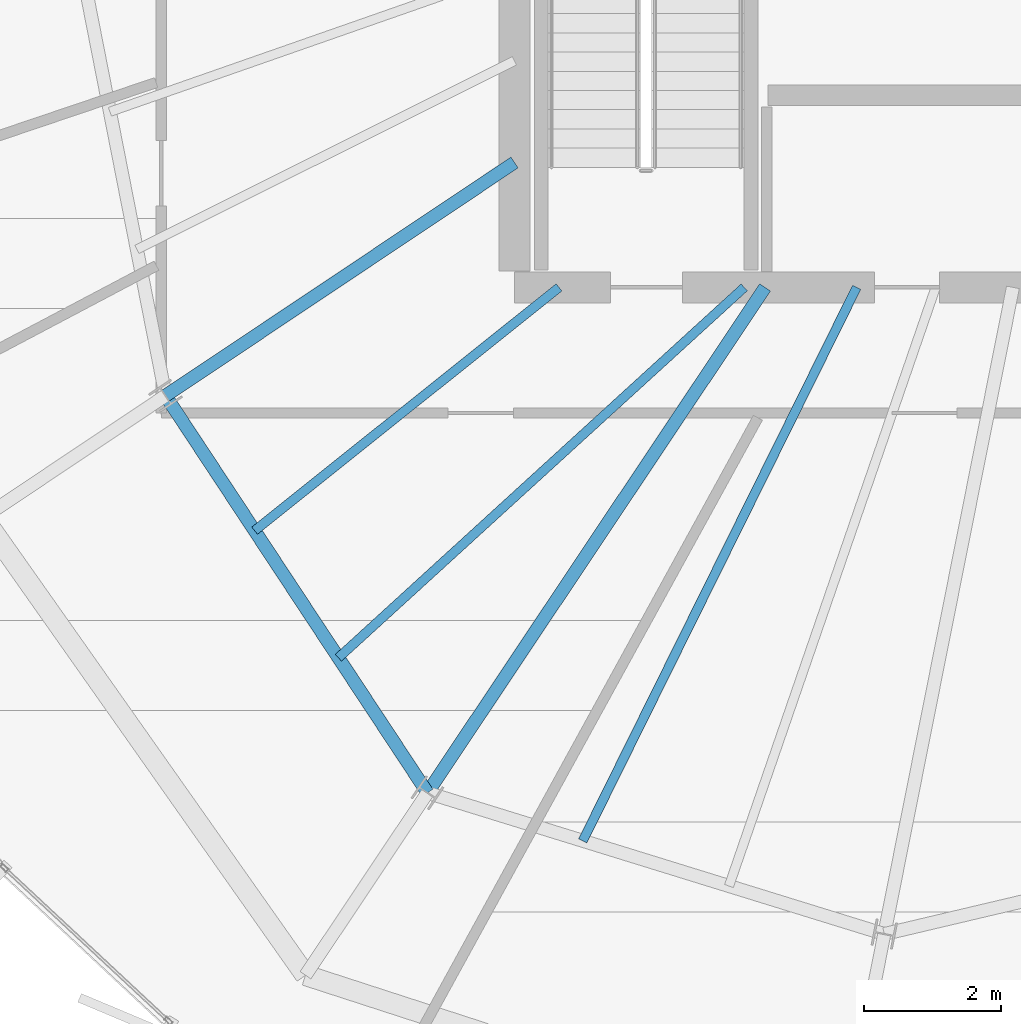
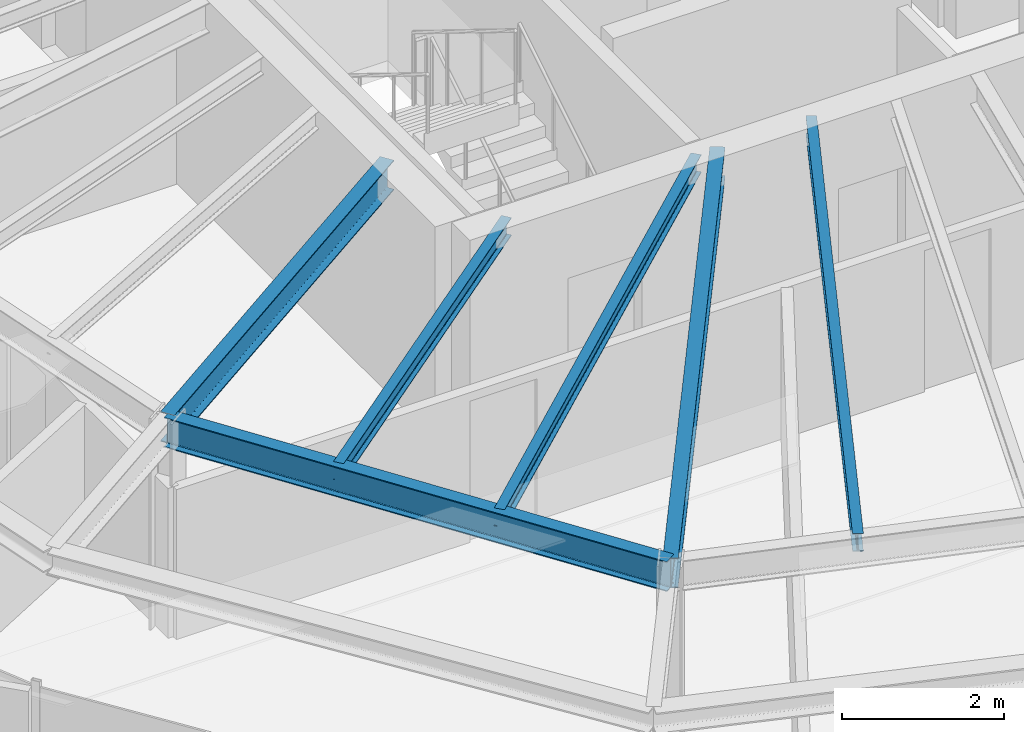
# One storey, part 5 of 35: 6 beams.
"""IFC4 building model written with IfcOpenShell, lengths in metres."""

from ifc_helpers import new_model, si_unit, direction, frame, origin, origin_2d, place, context, subcontext, project, spatial, i_section, extrude, source, transform, mapped, material, material_profile, profile_set, type_object, element, save


model = new_model("IFC4")

# Units and contexts
model_context = context("Model", 3, precision=1e-05, world=origin(), true_north=direction((0.0, 1.0)))
body_context = subcontext(model_context, "Body", "Model", "MODEL_VIEW")
ifc_project = project(units=[si_unit("LENGTHUNIT", "METRE"), si_unit("AREAUNIT", "SQUARE_METRE"), si_unit("VOLUMEUNIT", "CUBIC_METRE"), si_unit("PLANEANGLEUNIT", "RADIAN"), si_unit("MASSUNIT", "GRAM", prefix="KILO"), si_unit("THERMODYNAMICTEMPERATUREUNIT", "KELVIN")], contexts=[model_context])

# Site, building, storey
site_placement = place(None, origin())
site = spatial("IfcSite", under=ifc_project, at=site_placement, CompositionType="ELEMENT")
building_placement = place(site_placement, origin())
building = spatial("IfcBuilding", under=site, at=building_placement, Name="Kethvar Cultural Tower", CompositionType="ELEMENT")
storey_placement = place(building_placement, frame((0.0, 0.0, 249.10009765625)))
storey = spatial("IfcBuildingStorey", under=building, at=storey_placement, Name="L65", CompositionType="ELEMENT", Elevation=249.10009765625)

# Beams
ifc_material = material(Name="Steel S355J2", Category="steel")
ifc_material_profile_1 = material_profile(ifc_material, i_section(OverallWidth=0.18994140625, OverallDepth=0.449951171875, WebThickness=0.009521484375, FlangeThickness=0.0146484375, FilletRadius=0.02099609375, at=origin_2d()), Name="Steel S355J2 — IPE450")
ifc_profile_set_1 = profile_set([ifc_material_profile_1], Name="Steel S355J2 — IPE450")
beam_type_1 = type_object("IfcBeamType", Name="BM-IPE450", PredefinedType="BEAM", material=ifc_profile_set_1)
shared_shape_1 = source(origin(), body_context, "Body", "SweptSolid", [
    extrude(i_section(OverallWidth=0.18994140625, OverallDepth=0.449951171875, WebThickness=0.009521484375, FlangeThickness=0.0146484375, FilletRadius=0.02099609375, at=origin_2d()), origin(), (0.0, 0.0, 1.0), 6.118408203125),
])
beam_1_placement = place(storey_placement, frame((38.0, 21.920166015625, 2.98291015625), z_axis=(-0.831466631282, -0.555574694406, 0.0), x_axis=(0.555574694406, -0.831466631282, 0.0)))
element("IfcBeam", 1, at=beam_1_placement, inside=storey, type_object=beam_type_1, Name="L65 Primary Radial Beam RB-10", PredefinedType="BEAM", context=body_context, shape_type="MappedRepresentation", body=[
    mapped(shared_shape_1, transform((0.0, 0.0, 0.0), scale=1.0)),
])
shared_shape_2 = source(origin(), body_context, "Body", "SweptSolid", [
    extrude(i_section(OverallWidth=0.18994140625, OverallDepth=0.449951171875, WebThickness=0.009521484375, FlangeThickness=0.0146484375, FilletRadius=0.02099609375, at=origin_2d()), origin(), (0.0, 0.0, 1.0), 8.86279296875),
])
beam_2_placement = place(storey_placement, frame((41.655029296875, 20.10009765625, 2.98291015625), z_axis=(-0.555564443415, -0.831473480764, 0.0), x_axis=(0.831473480764, -0.555564443415, 0.0)))
element("IfcBeam", 2, at=beam_2_placement, inside=storey, type_object=beam_type_1, Name="L65 Primary Radial Beam RB-11", PredefinedType="BEAM", context=body_context, shape_type="MappedRepresentation", body=[
    mapped(shared_shape_2, transform((0.0, 0.0, 0.0), scale=1.0)),
])
shared_shape_3 = source(origin(), body_context, "Body", "SweptSolid", [
    extrude(i_section(OverallWidth=0.18994140625, OverallDepth=0.449951171875, WebThickness=0.009521484375, FlangeThickness=0.0146484375, FilletRadius=0.02099609375, at=origin_2d()), origin(), (0.0, 0.0, 1.0), 6.935791015625),
])
beam_3_placement = place(storey_placement, frame((32.912841796875, 18.52099609375, 2.98291015625), z_axis=(0.550534204139, -0.834812607759, 0.0), x_axis=(0.834812607759, 0.550534204139, 0.0)))
element("IfcBeam", 3, at=beam_3_placement, inside=storey, type_object=beam_type_1, Name="L65 Column Ring Tie Beam CR-10", PredefinedType="BEAM", context=body_context, shape_type="MappedRepresentation", body=[
    mapped(shared_shape_3, transform((0.0, 0.0, 0.0), scale=1.0)),
])
ifc_material_profile_2 = material_profile(ifc_material, i_section(OverallWidth=0.135009765625, OverallDepth=0.27001953125, WebThickness=0.006591796875, FlangeThickness=0.01025390625, FilletRadius=0.014892578125, at=origin_2d()), Name="Steel S355J2 — IPE270")
ifc_profile_set_2 = profile_set([ifc_material_profile_2], Name="Steel S355J2 — IPE270")
beam_type_2 = type_object("IfcBeamType", Name="BM-J270", PredefinedType="JOIST", material=ifc_profile_set_2)
shared_shape_4 = source(origin(), body_context, "Body", "SweptSolid", [
    extrude(i_section(OverallWidth=0.135009765625, OverallDepth=0.27001953125, WebThickness=0.006591796875, FlangeThickness=0.01025390625, FilletRadius=0.014892578125, at=origin_2d()), origin(), (0.0, 0.0, 1.0), 5.68212890625),
])
beam_4_placement = place(storey_placement, frame((38.64990234375, 20.10009765625, 3.072998046875), z_axis=(-0.781157957733, -0.624333440615, 0.0), x_axis=(0.624333440615, -0.781157957733, 0.0)))
element("IfcBeam", 4, at=beam_4_placement, inside=storey, type_object=beam_type_2, Name="L65 Composite Floor Joist J-10A", PredefinedType="JOIST", context=body_context, shape_type="MappedRepresentation", body=[
    mapped(shared_shape_4, transform((0.0, 0.0, 0.0), scale=1.0)),
])
shared_shape_5 = source(origin(), body_context, "Body", "SweptSolid", [
    extrude(i_section(OverallWidth=0.135009765625, OverallDepth=0.27001953125, WebThickness=0.006591796875, FlangeThickness=0.01025390625, FilletRadius=0.014892578125, at=origin_2d()), origin(), (0.0, 0.0, 1.0), 8.010986328125),
])
beam_5_placement = place(storey_placement, frame((41.35009765625, 20.10009765625, 3.072998046875), z_axis=(-0.738614798856, -0.674127717061, 0.0), x_axis=(0.674127717061, -0.738614798856, 0.0)))
element("IfcBeam", 5, at=beam_5_placement, inside=storey, type_object=beam_type_2, Name="L65 Composite Floor Joist J-10B", PredefinedType="JOIST", context=body_context, shape_type="MappedRepresentation", body=[
    mapped(shared_shape_5, transform((0.0, 0.0, 0.0), scale=1.0)),
])
shared_shape_6 = source(origin(), body_context, "Body", "SweptSolid", [
    extrude(i_section(OverallWidth=0.135009765625, OverallDepth=0.27001953125, WebThickness=0.006591796875, FlangeThickness=0.01025390625, FilletRadius=0.014892578125, at=origin_2d()), origin(), (0.0, 0.0, 1.0), 9.00341796875),
])
beam_6_placement = place(storey_placement, frame((42.989501953125, 20.10009765625, 3.072998046875), z_axis=(-0.443543695319, -0.896252749141, 0.0), x_axis=(0.896252749141, -0.443543695319, 0.0)))
element("IfcBeam", 6, at=beam_6_placement, inside=storey, type_object=beam_type_2, Name="L65 Composite Floor Joist J-11A", PredefinedType="JOIST", context=body_context, shape_type="MappedRepresentation", body=[
    mapped(shared_shape_6, transform((0.0, 0.0, 0.0), scale=1.0)),
])

save(model, "model.ifc")
